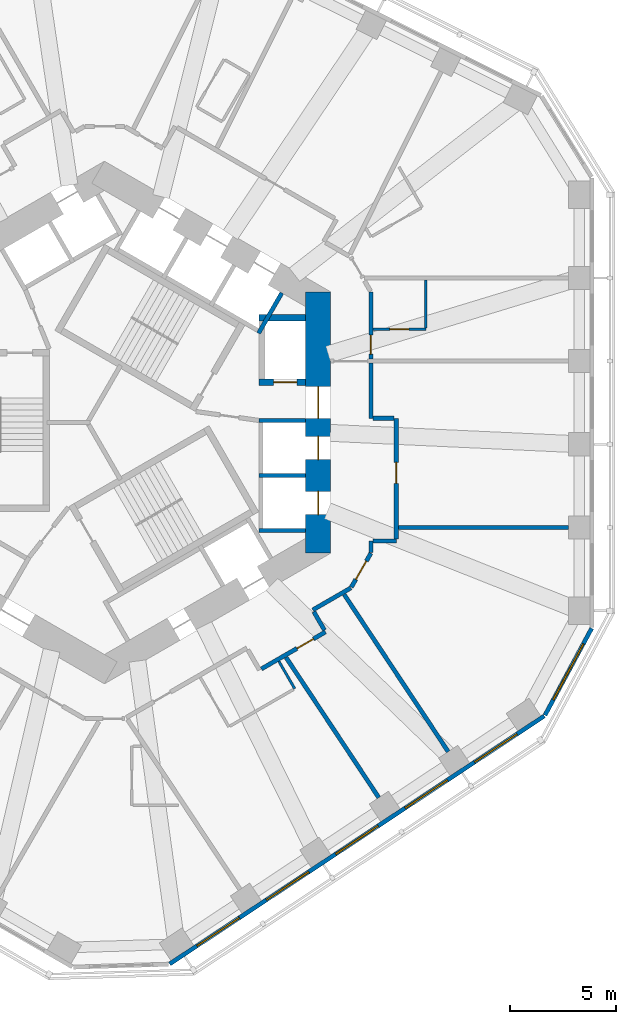
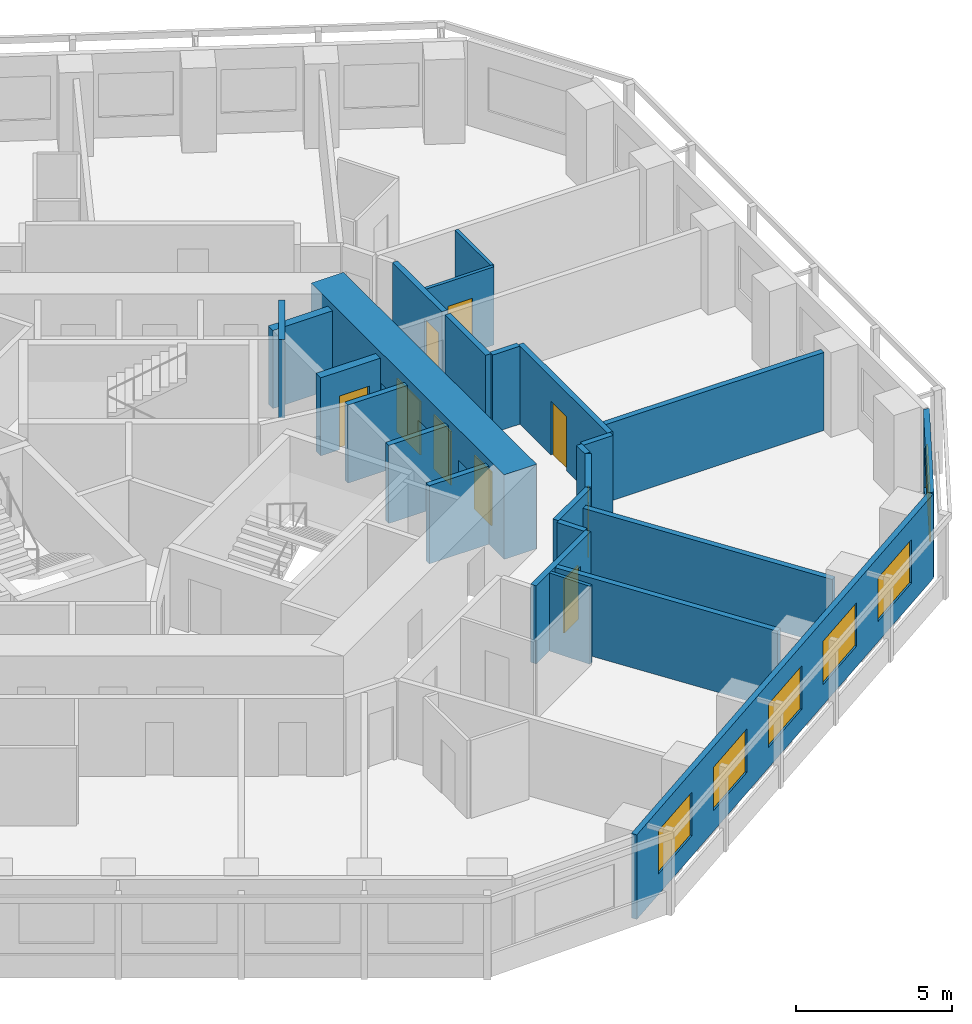
# One storey, part 6 of 12: 25 walls, 9 doors, 6 windows, 15 openings.
"""IFC4 building model written with IfcOpenShell, lengths in metres."""

from ifc_helpers import new_model, si_unit, direction, frame, frame_2d, origin, place, context, subcontext, project, spatial, rectangle, extrude, material, layer, layer_set, type_object, element, fill, save


model = new_model("IFC4")

# Units and contexts
model_context = context("Model", 3, precision=1e-05, world=origin(), true_north=direction((0.0, 1.0)))
body_context = subcontext(model_context, "Body", "Model", "MODEL_VIEW")
ifc_project = project(units=[si_unit("LENGTHUNIT", "METRE"), si_unit("AREAUNIT", "SQUARE_METRE"), si_unit("VOLUMEUNIT", "CUBIC_METRE"), si_unit("PLANEANGLEUNIT", "RADIAN"), si_unit("MASSUNIT", "GRAM", prefix="KILO")], contexts=[model_context])

# Site, building, storey
site_placement = place(None, origin())
site = spatial("IfcSite", under=ifc_project, at=site_placement, CompositionType="ELEMENT")
building_placement = place(site_placement, origin())
building = spatial("IfcBuilding", under=site, at=building_placement, Name="Vanh Sen Convention Tower", CompositionType="ELEMENT")
storey_placement = place(building_placement, frame((0.0, 0.0, 106.699951171875)))
storey = spatial("IfcBuildingStorey", under=building, at=storey_placement, Name="L25", CompositionType="ELEMENT", Elevation=106.699951171875)

# Wall
ifc_material_1 = material(Name="Moisture-resistant gypsum board on steel studs", Category="steel")
ifc_layer_1 = layer(ifc_material_1, 0.1201171875)
ifc_layer_set_1 = layer_set([ifc_layer_1], Name="Moisture-resistant gypsum board on steel studs")
wall_type_1 = type_object("IfcWallType", Name="Bathroom partition 120", PredefinedType="PARTITIONING", material=ifc_layer_set_1)
wall_1_placement = place(storey_placement, frame((8.248779296875, -11.2890625, 0.0), z_axis=(0.0, 0.0, 1.0), x_axis=(0.499957405522, -0.866049994321, 0.0)))
element("IfcWall", 1, at=wall_1_placement, inside=storey, type_object=wall_type_1, Name="Bathroom partition 120", PredefinedType="PARTITIONING", context=body_context, shape_type="SweptSolid", body=[
    extrude(rectangle(XDim=1.499267578125, YDim=0.1201171875, at=frame_2d((0.74951171875, 0.0))), origin(), (0.0, 0.0, 1.0), 3.050048828125),
])

# Wall, opening, door
wall_2_placement = place(storey_placement, frame((15.199951171875, 4.404541015625, 0.0), z_axis=(0.0, 0.0, 1.0), x_axis=(-1.0, 0.0, 0.0)))
wall_2 = element("IfcWall", 2, at=wall_2_placement, inside=storey, type_object=wall_type_1, Name="Bathroom partition 120", PredefinedType="PARTITIONING", context=body_context, shape_type="SweptSolid", body=[
    extrude(rectangle(XDim=2.5, YDim=0.1201171875, at=frame_2d((1.25, 0.0))), origin(), (0.0, 0.0, 1.0), 3.050048828125),
])
opening_1_placement = place(wall_2_placement, frame((0.800048828125, 0.0, 0.0)))
opening_1 = element("IfcOpeningElement", 3, at=opening_1_placement, cuts=wall_2, Name="Opening D25103", PredefinedType="OPENING", context=body_context, shape_type="SweptSolid", body=[
    extrude(rectangle(XDim=0.89990234375, YDim=2.10009765625, at=frame_2d((0.449951171875, 1.050048828125))), frame((0.0, 0.070068359375, 0.0), z_axis=(0.0, -1.0, 0.0), x_axis=(1.0, 0.0, 0.0)), (0.0, 0.0, 1.0), 0.14013671875),
])
ifc_material_2 = material(Name="Laminate door in steel frame", Category="steel")
door_type_1 = type_object("IfcDoorType", Name="En-suite door 900", OperationType="SINGLE_SWING_LEFT", PredefinedType="DOOR", material=ifc_material_2)
door_1_placement = place(opening_1_placement, origin())
door_1 = element("IfcDoor", 4, at=door_1_placement, inside=storey, type_object=door_type_1, Name="En-suite door D25103", OperationType="SINGLE_SWING_LEFT", OverallHeight=2.10009765625, OverallWidth=0.89990234375, PredefinedType="DOOR", context=body_context, shape_type="SweptSolid", body=[
    extrude(rectangle(XDim=0.89990234375, YDim=2.10009765625, at=frame_2d((0.449951171875, 1.050048828125))), frame((0.0, 0.02490234375, 0.0), z_axis=(0.0, -1.0, 0.0), x_axis=(1.0, 0.0, 0.0)), (0.0, 0.0, 1.0), 0.050048828125),
])
fill(opening_1, door_1)

# Wall
wall_3_placement = place(storey_placement, frame((15.199951171875, 6.739013671875, 0.0), z_axis=(0.0, 0.0, 1.0), x_axis=(0.0, -1.0, 0.0)))
element("IfcWall", 5, at=wall_3_placement, inside=storey, type_object=wall_type_1, Name="Bathroom partition 120", PredefinedType="PARTITIONING", context=body_context, shape_type="SweptSolid", body=[
    extrude(rectangle(XDim=2.2744140625, YDim=0.1201171875, at=frame_2d((1.13720703125, 0.0))), origin(), (0.0, 0.0, 1.0), 3.050048828125),
])

# Wall, openings, doors
ifc_material_3 = material(Name="Concrete C80/95", Category="concrete")
ifc_layer_2 = layer(ifc_material_3, 1.199951171875)
ifc_layer_set_2 = layer_set([ifc_layer_2], Name="Concrete C80/95")
wall_type_2 = type_object("IfcWallType", Name="Core outer wall 1200 C80/95", PredefinedType="SHEAR", material=ifc_layer_set_2)
wall_4_placement = place(storey_placement, frame((10.10009765625, -6.177490234375, 0.0), z_axis=(0.0, 0.0, 1.0), x_axis=(0.0, 1.0, 0.0)))
wall_4 = element("IfcWall", 6, at=wall_4_placement, inside=storey, type_object=wall_type_2, Name="Core wall face E L25", PredefinedType="SHEAR", context=body_context, shape_type="SweptSolid", body=[
    extrude(rectangle(XDim=12.35498046875, YDim=1.199951171875, at=frame_2d((6.177490234375, 0.0))), origin(), (0.0, 0.0, 1.0), 3.300048828125),
])
opening_2_placement = place(wall_4_placement, frame((6.377685546875, 0.0, 0.0)))
opening_2 = element("IfcOpeningElement", 7, at=opening_2_placement, cuts=wall_4, Name="Opening D25001", PredefinedType="OPENING", context=body_context, shape_type="SweptSolid", body=[
    extrude(rectangle(XDim=1.5, YDim=2.10009765625, at=frame_2d((0.75, 1.050048828125))), frame((0.0, 0.60986328125, 0.0), z_axis=(0.0, -1.0, 0.0), x_axis=(1.0, 0.0, 0.0)), (0.0, 0.0, 1.0), 1.219970703125),
])
opening_3_placement = place(wall_4_placement, frame((1.82763671875, 0.0, 0.0)))
opening_3 = element("IfcOpeningElement", 8, at=opening_3_placement, cuts=wall_4, Name="Opening LD-LR1", PredefinedType="OPENING", context=body_context, shape_type="SweptSolid", body=[
    extrude(rectangle(XDim=1.10009765625, YDim=2.10009765625, at=frame_2d((0.550048828125, 1.050048828125))), frame((0.0, 0.60986328125, 0.0), z_axis=(0.0, -1.0, 0.0), x_axis=(1.0, 0.0, 0.0)), (0.0, 0.0, 1.0), 1.219970703125),
])
opening_4_placement = place(wall_4_placement, frame((4.427490234375, 0.0, 0.0)))
opening_4 = element("IfcOpeningElement", 9, at=opening_4_placement, cuts=wall_4, Name="Opening LD-LR2", PredefinedType="OPENING", context=body_context, shape_type="SweptSolid", body=[
    extrude(rectangle(XDim=1.10009765625, YDim=2.10009765625, at=frame_2d((0.550048828125, 1.050048828125))), frame((0.0, 0.60986328125, 0.0), z_axis=(0.0, -1.0, 0.0), x_axis=(1.0, 0.0, 0.0)), (0.0, 0.0, 1.0), 1.219970703125),
])
ifc_material_4 = material(Name="Stainless steel", Category="steel")
door_type_2 = type_object("IfcDoorType", Name="Lift landing door 1100", OperationType="DOUBLE_DOOR_SLIDING", PredefinedType="DOOR", material=ifc_material_4)
door_2_placement = place(opening_3_placement, origin())
door_2 = element("IfcDoor", 10, at=door_2_placement, inside=storey, type_object=door_type_2, Name="Lift LR1 landing door LD-LR1", OperationType="DOUBLE_DOOR_SLIDING", OverallHeight=2.10009765625, OverallWidth=1.10009765625, PredefinedType="DOOR", context=body_context, shape_type="SweptSolid", body=[
    extrude(rectangle(XDim=1.10009765625, YDim=2.10009765625, at=frame_2d((0.550048828125, 1.050048828125))), frame((0.0, 0.02490234375, 0.0), z_axis=(0.0, -1.0, 0.0), x_axis=(1.0, 0.0, 0.0)), (0.0, 0.0, 1.0), 0.050048828125),
])
fill(opening_3, door_2)
door_3_placement = place(opening_4_placement, origin())
door_3 = element("IfcDoor", 11, at=door_3_placement, inside=storey, type_object=door_type_2, Name="Lift LR2 landing door LD-LR2", OperationType="DOUBLE_DOOR_SLIDING", OverallHeight=2.10009765625, OverallWidth=1.10009765625, PredefinedType="DOOR", context=body_context, shape_type="SweptSolid", body=[
    extrude(rectangle(XDim=1.10009765625, YDim=2.10009765625, at=frame_2d((0.550048828125, 1.050048828125))), frame((0.0, 0.02490234375, 0.0), z_axis=(0.0, -1.0, 0.0), x_axis=(1.0, 0.0, 0.0)), (0.0, 0.0, 1.0), 0.050048828125),
])
fill(opening_4, door_3)
ifc_material_5 = material(Name="Steel S355", Category="steel")
door_type_3 = type_object("IfcDoorType", Name="Stair lobby door 1500", OperationType="DOUBLE_DOOR_SINGLE_SWING", PredefinedType="DOOR", material=ifc_material_5)
door_4_placement = place(opening_2_placement, origin())
door_4 = element("IfcDoor", 12, at=door_4_placement, inside=storey, type_object=door_type_3, Name="Stair lobby door D25001", OperationType="DOUBLE_DOOR_SINGLE_SWING", OverallHeight=2.10009765625, OverallWidth=1.5, PredefinedType="DOOR", context=body_context, shape_type="SweptSolid", body=[
    extrude(rectangle(XDim=1.5, YDim=2.10009765625, at=frame_2d((0.75, 1.050048828125))), frame((0.0, 0.02490234375, 0.0), z_axis=(0.0, -1.0, 0.0), x_axis=(1.0, 0.0, 0.0)), (0.0, 0.0, 1.0), 0.050048828125),
])
fill(opening_2, door_4)

# Wall, opening, door
ifc_material_6 = material(Name="Gypsum board on steel studs with mineral wool", Category="steel")
ifc_layer_3 = layer(ifc_material_6, 0.199951171875)
ifc_layer_set_3 = layer_set([ifc_layer_3], Name="Gypsum board on steel studs with mineral wool")
wall_type_3 = type_object("IfcWallType", Name="Corridor partition wall 200", PredefinedType="PARTITIONING", material=ifc_layer_set_3)
wall_5_placement = place(storey_placement, frame((7.419189453125, -11.652587890625, 0.0), z_axis=(0.0, 0.0, 1.0), x_axis=(0.866038154057, 0.49997791523, 0.0)))
wall_5 = element("IfcWall", 13, at=wall_5_placement, inside=storey, type_object=wall_type_3, Name="Corridor partition wall 200", PredefinedType="PARTITIONING", context=body_context, shape_type="SweptSolid", body=[
    extrude(rectangle(XDim=3.502197265625, YDim=0.199951171875, at=frame_2d((1.7509765625, 0.0))), origin(), (0.0, 0.0, 1.0), 3.050048828125),
])
opening_5_placement = place(wall_5_placement, frame((1.939697265625, 0.0, 0.0)))
opening_5 = element("IfcOpeningElement", 14, at=opening_5_placement, cuts=wall_5, Name="Opening D25128", PredefinedType="OPENING", context=body_context, shape_type="SweptSolid", body=[
    extrude(rectangle(XDim=0.89990234375, YDim=2.10009765625, at=frame_2d((0.449951171875, 1.050048828125))), frame((0.0, 0.10986328125, 0.0), z_axis=(0.0, -1.0, 0.0), x_axis=(1.0, 0.0, 0.0)), (0.0, 0.0, 1.0), 0.219970703125),
])
ifc_material_7 = material(Name="Timber fire door in steel frame", Category="steel")
door_type_4 = type_object("IfcDoorType", Name="Floor service door 900", OperationType="SINGLE_SWING_LEFT", PredefinedType="DOOR", material=ifc_material_7)
door_5_placement = place(opening_5_placement, origin())
door_5 = element("IfcDoor", 15, at=door_5_placement, inside=storey, type_object=door_type_4, Name="Service room door D25128", OperationType="SINGLE_SWING_LEFT", OverallHeight=2.10009765625, OverallWidth=0.89990234375, PredefinedType="DOOR", context=body_context, shape_type="SweptSolid", body=[
    extrude(rectangle(XDim=0.89990234375, YDim=2.10009765625, at=frame_2d((0.449951171875, 1.050048828125))), frame((0.0, 0.02490234375, 0.0), z_axis=(0.0, -1.0, 0.0), x_axis=(1.0, 0.0, 0.0)), (0.0, 0.0, 1.0), 0.050048828125),
])
fill(opening_5, door_5)

# Walls
wall_6_placement = place(storey_placement, frame((9.8515625, -8.861328125, 0.0), z_axis=(0.0, 0.0, 1.0), x_axis=(0.866013291437, 0.500020978615, 0.0)))
element("IfcWall", 16, at=wall_6_placement, inside=storey, type_object=wall_type_3, Name="Corridor partition wall 200", PredefinedType="PARTITIONING", context=body_context, shape_type="SweptSolid", body=[
    extrude(rectangle(XDim=2.07666015625, YDim=0.199951171875, at=frame_2d((1.038330078125, 0.0))), origin(), (0.0, 0.0, 1.0), 3.050048828125),
])
wall_7_placement = place(storey_placement, frame((10.402099609375, -9.81494140625, 0.0), z_axis=(0.0, 0.0, 1.0), x_axis=(-0.499968756647, 0.866043441391, 0.0)))
element("IfcWall", 17, at=wall_7_placement, inside=storey, type_object=wall_type_3, Name="Corridor partition wall 200", PredefinedType="PARTITIONING", context=body_context, shape_type="SweptSolid", body=[
    extrude(rectangle(XDim=1.0009765625, YDim=0.199951171875, at=frame_2d((0.50048828125, 0.0))), origin(), (0.0, 0.0, 1.0), 3.050048828125),
])

# Wall, opening, door
wall_8_placement = place(storey_placement, frame((11.669921875, -7.788330078125, 0.0), z_axis=(0.0, 0.0, 1.0), x_axis=(0.500063286585, 0.865988862174, 0.0)))
wall_8 = element("IfcWall", 18, at=wall_8_placement, inside=storey, type_object=wall_type_3, Name="Corridor partition wall 200", PredefinedType="PARTITIONING", context=body_context, shape_type="SweptSolid", body=[
    extrude(rectangle(XDim=1.860107421875, YDim=0.199951171875, at=frame_2d((0.93017578125, 0.0))), origin(), (0.0, 0.0, 1.0), 3.050048828125),
])
opening_6_placement = place(wall_8_placement, frame((0.429931640625, 0.0, 0.0)))
opening_6 = element("IfcOpeningElement", 19, at=opening_6_placement, cuts=wall_8, Name="Opening D25129", PredefinedType="OPENING", context=body_context, shape_type="SweptSolid", body=[
    extrude(rectangle(XDim=1.0, YDim=2.10009765625, at=frame_2d((0.5, 1.050048828125))), frame((0.0, 0.10986328125, 0.0), z_axis=(0.0, -1.0, 0.0), x_axis=(1.0, 0.0, 0.0)), (0.0, 0.0, 1.0), 0.219970703125),
])
door_type_5 = type_object("IfcDoorType", Name="Floor room door 1000", OperationType="SINGLE_SWING_LEFT", PredefinedType="DOOR", material=ifc_material_7)
door_6_placement = place(opening_6_placement, origin())
door_6 = element("IfcDoor", 20, at=door_6_placement, inside=storey, type_object=door_type_5, Name="Meeting and amenity room door D25129", OperationType="SINGLE_SWING_LEFT", OverallHeight=2.10009765625, OverallWidth=1.0, PredefinedType="DOOR", context=body_context, shape_type="SweptSolid", body=[
    extrude(rectangle(XDim=1.0, YDim=2.10009765625, at=frame_2d((0.5, 1.050048828125))), frame((0.0, 0.02490234375, 0.0), z_axis=(0.0, -1.0, 0.0), x_axis=(1.0, 0.0, 0.0)), (0.0, 0.0, 1.0), 0.050048828125),
])
fill(opening_6, door_6)

# Walls
wall_9_placement = place(storey_placement, frame((12.60009765625, -6.1376953125, 0.0), z_axis=(0.0, 0.0, 1.0), x_axis=(0.0, 1.0, 0.0)))
element("IfcWall", 21, at=wall_9_placement, inside=storey, type_object=wall_type_3, Name="Corridor partition wall 200", PredefinedType="PARTITIONING", context=body_context, shape_type="SweptSolid", body=[
    extrude(rectangle(XDim=0.53662109375, YDim=0.199951171875, at=frame_2d((0.268310546875, 0.0))), origin(), (0.0, 0.0, 1.0), 3.050048828125),
])
wall_10_placement = place(storey_placement, frame((12.60009765625, 0.200927734375, 0.0), z_axis=(0.0, 0.0, 1.0), x_axis=(0.0, 1.0, 0.0)))
element("IfcWall", 22, at=wall_10_placement, inside=storey, type_object=wall_type_3, Name="Corridor partition wall 200", PredefinedType="PARTITIONING", context=body_context, shape_type="SweptSolid", body=[
    extrude(rectangle(XDim=2.603515625, YDim=0.199951171875, at=frame_2d((1.3017578125, 0.0))), origin(), (0.0, 0.0, 1.0), 3.050048828125),
])

# Wall, opening, door
wall_11_placement = place(storey_placement, frame((12.60009765625, 3.00439453125, 0.0), z_axis=(0.0, 0.0, 1.0), x_axis=(0.0, 1.0, 0.0)))
wall_11 = element("IfcWall", 23, at=wall_11_placement, inside=storey, type_object=wall_type_3, Name="Corridor partition wall 200", PredefinedType="PARTITIONING", context=body_context, shape_type="SweptSolid", body=[
    extrude(rectangle(XDim=3.173095703125, YDim=0.199951171875, at=frame_2d((1.58642578125, 0.0))), origin(), (0.0, 0.0, 1.0), 3.050048828125),
])
opening_7_placement = place(wall_11_placement, frame((0.22509765625, 0.0, 0.0)))
opening_7 = element("IfcOpeningElement", 24, at=opening_7_placement, cuts=wall_11, Name="Opening D25102", PredefinedType="OPENING", context=body_context, shape_type="SweptSolid", body=[
    extrude(rectangle(XDim=0.89990234375, YDim=2.10009765625, at=frame_2d((0.449951171875, 1.050048828125))), frame((0.0, 0.10986328125, 0.0), z_axis=(0.0, -1.0, 0.0), x_axis=(1.0, 0.0, 0.0)), (0.0, 0.0, 1.0), 0.219970703125),
])
door_type_6 = type_object("IfcDoorType", Name="Guest room door 900", OperationType="SINGLE_SWING_LEFT", PredefinedType="DOOR", material=ifc_material_7)
door_7_placement = place(opening_7_placement, origin())
door_7 = element("IfcDoor", 25, at=door_7_placement, inside=storey, type_object=door_type_6, Name="Hotel guest room door D25102", OperationType="SINGLE_SWING_LEFT", OverallHeight=2.10009765625, OverallWidth=0.89990234375, PredefinedType="DOOR", context=body_context, shape_type="SweptSolid", body=[
    extrude(rectangle(XDim=0.89990234375, YDim=2.10009765625, at=frame_2d((0.449951171875, 1.050048828125))), frame((0.0, 0.02490234375, 0.0), z_axis=(0.0, -1.0, 0.0), x_axis=(1.0, 0.0, 0.0)), (0.0, 0.0, 1.0), 0.050048828125),
])
fill(opening_7, door_7)

# Walls
wall_12_placement = place(storey_placement, frame((12.699951171875, -5.60107421875, 0.0), z_axis=(0.0, 0.0, 1.0), x_axis=(1.0, 0.0, 0.0)))
element("IfcWall", 26, at=wall_12_placement, inside=storey, type_object=wall_type_3, Name="Corridor partition wall 200", PredefinedType="PARTITIONING", context=body_context, shape_type="SweptSolid", body=[
    extrude(rectangle(XDim=1.10107421875, YDim=0.199951171875, at=frame_2d((0.550537109375, 0.0))), origin(), (0.0, 0.0, 1.0), 3.050048828125),
])
wall_13_placement = place(storey_placement, frame((13.700927734375, 0.200927734375, 0.0), z_axis=(0.0, 0.0, 1.0), x_axis=(-1.0, 0.0, 0.0)))
element("IfcWall", 27, at=wall_13_placement, inside=storey, type_object=wall_type_3, Name="Corridor partition wall 200", PredefinedType="PARTITIONING", context=body_context, shape_type="SweptSolid", body=[
    extrude(rectangle(XDim=1.0009765625, YDim=0.199951171875, at=frame_2d((0.50048828125, 0.0))), origin(), (0.0, 0.0, 1.0), 3.050048828125),
])

# Wall, opening, door
wall_14_placement = place(storey_placement, frame((13.801025390625, -5.5009765625, 0.0), z_axis=(0.0, 0.0, 1.0), x_axis=(0.0, 1.0, 0.0)))
wall_14 = element("IfcWall", 28, at=wall_14_placement, inside=storey, type_object=wall_type_3, Name="Corridor partition wall 200", PredefinedType="PARTITIONING", context=body_context, shape_type="SweptSolid", body=[
    extrude(rectangle(XDim=5.701904296875, YDim=0.199951171875, at=frame_2d((2.85107421875, 0.0))), origin(), (0.0, 0.0, 1.0), 3.050048828125),
])
opening_8_placement = place(wall_14_placement, frame((2.619140625, 0.0, 0.0)))
opening_8 = element("IfcOpeningElement", 29, at=opening_8_placement, cuts=wall_14, Name="Opening D25101", PredefinedType="OPENING", context=body_context, shape_type="SweptSolid", body=[
    extrude(rectangle(XDim=1.0, YDim=2.10009765625, at=frame_2d((0.5, 1.050048828125))), frame((0.0, 0.10986328125, 0.0), z_axis=(0.0, -1.0, 0.0), x_axis=(1.0, 0.0, 0.0)), (0.0, 0.0, 1.0), 0.219970703125),
])
door_8_placement = place(opening_8_placement, origin())
door_8 = element("IfcDoor", 30, at=door_8_placement, inside=storey, type_object=door_type_5, Name="Meeting and amenity room door D25101", OperationType="SINGLE_SWING_LEFT", OverallHeight=2.10009765625, OverallWidth=1.0, PredefinedType="DOOR", context=body_context, shape_type="SweptSolid", body=[
    extrude(rectangle(XDim=1.0, YDim=2.10009765625, at=frame_2d((0.5, 1.050048828125))), frame((0.0, 0.02490234375, 0.0), z_axis=(0.0, -1.0, 0.0), x_axis=(1.0, 0.0, 0.0)), (0.0, 0.0, 1.0), 0.050048828125),
])
fill(opening_8, door_8)

# Wall, openings, windows
ifc_material_8 = material(Name="Insulated lightweight infill wall")
ifc_layer_4 = layer(ifc_material_8, 0.199951171875)
ifc_layer_set_4 = layer_set([ifc_layer_4], Name="Insulated lightweight infill wall")
wall_type_4 = type_object("IfcWallType", Name="External wall 200", PredefinedType="STANDARD", material=ifc_layer_set_4)
wall_15_placement = place(storey_placement, frame((3.0830078125, -25.60107421875, 0.0), z_axis=(0.0, 0.0, 1.0), x_axis=(0.833884295743, 0.551939291329, 0.0)))
wall_15 = element("IfcWall", 31, at=wall_15_placement, inside=storey, type_object=wall_type_4, Name="External wall SE L25", PredefinedType="STANDARD", context=body_context, shape_type="SweptSolid", body=[
    extrude(rectangle(XDim=21.24609375, YDim=0.199951171875, at=frame_2d((10.623046875, 0.0))), origin(), (0.0, 0.0, 1.0), 3.300048828125),
])
opening_9_placement = place(wall_15_placement, frame((1.552978515625, 0.0, 0.800048828125)))
opening_9 = element("IfcOpeningElement", 32, at=opening_9_placement, cuts=wall_15, Name="Opening WH1-SE1", PredefinedType="OPENING", context=body_context, shape_type="SweptSolid", body=[
    extrude(rectangle(XDim=2.39990234375, YDim=1.699951171875, at=frame_2d((1.199951171875, 0.85009765625))), frame((0.0, 0.10986328125, 0.0), z_axis=(0.0, -1.0, 0.0), x_axis=(1.0, 0.0, 0.0)), (0.0, 0.0, 1.0), 0.219970703125),
])
opening_10_placement = place(wall_15_placement, frame((5.487548828125, 0.0, 0.800048828125)))
opening_10 = element("IfcOpeningElement", 33, at=opening_10_placement, cuts=wall_15, Name="Opening WH1-SE2", PredefinedType="OPENING", context=body_context, shape_type="SweptSolid", body=[
    extrude(rectangle(XDim=2.39990234375, YDim=1.699951171875, at=frame_2d((1.199951171875, 0.85009765625))), frame((0.0, 0.10986328125, 0.0), z_axis=(0.0, -1.0, 0.0), x_axis=(1.0, 0.0, 0.0)), (0.0, 0.0, 1.0), 0.219970703125),
])
opening_11_placement = place(wall_15_placement, frame((9.422119140625, 0.0, 0.800048828125)))
opening_11 = element("IfcOpeningElement", 34, at=opening_11_placement, cuts=wall_15, Name="Opening WH1-SE3", PredefinedType="OPENING", context=body_context, shape_type="SweptSolid", body=[
    extrude(rectangle(XDim=2.39990234375, YDim=1.699951171875, at=frame_2d((1.199951171875, 0.85009765625))), frame((0.0, 0.10986328125, 0.0), z_axis=(0.0, -1.0, 0.0), x_axis=(1.0, 0.0, 0.0)), (0.0, 0.0, 1.0), 0.219970703125),
])
opening_12_placement = place(wall_15_placement, frame((13.356689453125, 0.0, 0.800048828125)))
opening_12 = element("IfcOpeningElement", 35, at=opening_12_placement, cuts=wall_15, Name="Opening WH1-SE4", PredefinedType="OPENING", context=body_context, shape_type="SweptSolid", body=[
    extrude(rectangle(XDim=2.39990234375, YDim=1.699951171875, at=frame_2d((1.199951171875, 0.85009765625))), frame((0.0, 0.10986328125, 0.0), z_axis=(0.0, -1.0, 0.0), x_axis=(1.0, 0.0, 0.0)), (0.0, 0.0, 1.0), 0.219970703125),
])
opening_13_placement = place(wall_15_placement, frame((17.291259765625, 0.0, 0.800048828125)))
opening_13 = element("IfcOpeningElement", 36, at=opening_13_placement, cuts=wall_15, Name="Opening WH1-SE5", PredefinedType="OPENING", context=body_context, shape_type="SweptSolid", body=[
    extrude(rectangle(XDim=2.39990234375, YDim=1.699951171875, at=frame_2d((1.199951171875, 0.85009765625))), frame((0.0, 0.10986328125, 0.0), z_axis=(0.0, -1.0, 0.0), x_axis=(1.0, 0.0, 0.0)), (0.0, 0.0, 1.0), 0.219970703125),
])
ifc_material_9 = material(Name="Aluminium frame with clear low-emissivity glass", Category="aluminium")
window_type_1 = type_object("IfcWindowType", Name="Hotel window 2400 x 1700", PartitioningType="SINGLE_PANEL", PredefinedType="WINDOW", material=ifc_material_9)
window_1_placement = place(opening_9_placement, origin())
window_1 = element("IfcWindow", 37, at=window_1_placement, inside=storey, type_object=window_type_1, Name="Window WH1-SE1", OverallHeight=1.699951171875, OverallWidth=2.39990234375, PartitioningType="SINGLE_PANEL", PredefinedType="WINDOW", context=body_context, shape_type="SweptSolid", body=[
    extrude(rectangle(XDim=2.39990234375, YDim=1.699951171875, at=frame_2d((1.199951171875, 0.85009765625))), frame((0.0, 0.030029296875, 0.0), z_axis=(0.0, -1.0, 0.0), x_axis=(1.0, 0.0, 0.0)), (0.0, 0.0, 1.0), 0.06005859375),
])
fill(opening_9, window_1)
window_2_placement = place(opening_10_placement, origin())
window_2 = element("IfcWindow", 38, at=window_2_placement, inside=storey, type_object=window_type_1, Name="Window WH1-SE2", OverallHeight=1.699951171875, OverallWidth=2.39990234375, PartitioningType="SINGLE_PANEL", PredefinedType="WINDOW", context=body_context, shape_type="SweptSolid", body=[
    extrude(rectangle(XDim=2.39990234375, YDim=1.699951171875, at=frame_2d((1.199951171875, 0.85009765625))), frame((0.0, 0.030029296875, 0.0), z_axis=(0.0, -1.0, 0.0), x_axis=(1.0, 0.0, 0.0)), (0.0, 0.0, 1.0), 0.06005859375),
])
fill(opening_10, window_2)
window_3_placement = place(opening_11_placement, origin())
window_3 = element("IfcWindow", 39, at=window_3_placement, inside=storey, type_object=window_type_1, Name="Window WH1-SE3", OverallHeight=1.699951171875, OverallWidth=2.39990234375, PartitioningType="SINGLE_PANEL", PredefinedType="WINDOW", context=body_context, shape_type="SweptSolid", body=[
    extrude(rectangle(XDim=2.39990234375, YDim=1.699951171875, at=frame_2d((1.199951171875, 0.85009765625))), frame((0.0, 0.030029296875, 0.0), z_axis=(0.0, -1.0, 0.0), x_axis=(1.0, 0.0, 0.0)), (0.0, 0.0, 1.0), 0.06005859375),
])
fill(opening_11, window_3)
window_4_placement = place(opening_12_placement, origin())
window_4 = element("IfcWindow", 40, at=window_4_placement, inside=storey, type_object=window_type_1, Name="Window WH1-SE4", OverallHeight=1.699951171875, OverallWidth=2.39990234375, PartitioningType="SINGLE_PANEL", PredefinedType="WINDOW", context=body_context, shape_type="SweptSolid", body=[
    extrude(rectangle(XDim=2.39990234375, YDim=1.699951171875, at=frame_2d((1.199951171875, 0.85009765625))), frame((0.0, 0.030029296875, 0.0), z_axis=(0.0, -1.0, 0.0), x_axis=(1.0, 0.0, 0.0)), (0.0, 0.0, 1.0), 0.06005859375),
])
fill(opening_12, window_4)
window_5_placement = place(opening_13_placement, origin())
window_5 = element("IfcWindow", 41, at=window_5_placement, inside=storey, type_object=window_type_1, Name="Window WH1-SE5", OverallHeight=1.699951171875, OverallWidth=2.39990234375, PartitioningType="SINGLE_PANEL", PredefinedType="WINDOW", context=body_context, shape_type="SweptSolid", body=[
    extrude(rectangle(XDim=2.39990234375, YDim=1.699951171875, at=frame_2d((1.199951171875, 0.85009765625))), frame((0.0, 0.030029296875, 0.0), z_axis=(0.0, -1.0, 0.0), x_axis=(1.0, 0.0, 0.0)), (0.0, 0.0, 1.0), 0.06005859375),
])
fill(opening_13, window_5)

# Wall, opening, window
wall_16_placement = place(storey_placement, frame((20.83251953125, -13.838623046875, 0.0), z_axis=(0.0, 0.0, 1.0), x_axis=(0.473321668581, 0.880889662813, 0.0)))
wall_16 = element("IfcWall", 42, at=wall_16_placement, inside=storey, type_object=wall_type_4, Name="External wall CH6 L25", PredefinedType="STANDARD", context=body_context, shape_type="SweptSolid", body=[
    extrude(rectangle(XDim=4.65966796875, YDim=0.199951171875, at=frame_2d((2.329833984375, 0.0))), origin(), (0.0, 0.0, 1.0), 3.300048828125),
])
opening_14_placement = place(wall_16_placement, frame((0.829833984375, 0.0, 0.800048828125)))
opening_14 = element("IfcOpeningElement", 43, at=opening_14_placement, cuts=wall_16, Name="Opening WH2-CH61", PredefinedType="OPENING", context=body_context, shape_type="SweptSolid", body=[
    extrude(rectangle(XDim=3.0, YDim=1.699951171875, at=frame_2d((1.5, 0.85009765625))), frame((0.0, 0.10986328125, 0.0), z_axis=(0.0, -1.0, 0.0), x_axis=(1.0, 0.0, 0.0)), (0.0, 0.0, 1.0), 0.219970703125),
])
window_type_2 = type_object("IfcWindowType", Name="Hotel window 3000 x 1700", PartitioningType="SINGLE_PANEL", PredefinedType="WINDOW", material=ifc_material_9)
window_6_placement = place(opening_14_placement, origin())
window_6 = element("IfcWindow", 44, at=window_6_placement, inside=storey, type_object=window_type_2, Name="Window WH2-CH61", OverallHeight=1.699951171875, OverallWidth=3.0, PartitioningType="SINGLE_PANEL", PredefinedType="WINDOW", context=body_context, shape_type="SweptSolid", body=[
    extrude(rectangle(XDim=3.0, YDim=1.699951171875, at=frame_2d((1.5, 0.85009765625))), frame((0.0, 0.030029296875, 0.0), z_axis=(0.0, -1.0, 0.0), x_axis=(1.0, 0.0, 0.0)), (0.0, 0.0, 1.0), 0.06005859375),
])
fill(opening_14, window_6)

# Wall, opening, door
ifc_material_10 = material(Name="Concrete C60/75", Category="concrete")
ifc_layer_5 = layer(ifc_material_10, 0.300048828125)
ifc_layer_set_5 = layer_set([ifc_layer_5], Name="Concrete C60/75")
wall_type_5 = type_object("IfcWallType", Name="Fire-fighting lift shaft wall 300", PredefinedType="SHEAR", material=ifc_layer_set_5)
wall_17_placement = place(storey_placement, frame((7.300048828125, 1.89990234375, 0.0), z_axis=(0.0, 0.0, 1.0), x_axis=(1.0, 0.0, 0.0)))
wall_17 = element("IfcWall", 45, at=wall_17_placement, inside=storey, type_object=wall_type_5, Name="Fire-fighting lift shaft wall L25", PredefinedType="SHEAR", context=body_context, shape_type="SweptSolid", body=[
    extrude(rectangle(XDim=2.199951171875, YDim=0.300048828125, at=frame_2d((1.10009765625, 0.0))), origin(), (0.0, 0.0, 1.0), 3.050048828125),
])
opening_15_placement = place(wall_17_placement, frame((0.699951171875, 0.0, 0.0)))
opening_15 = element("IfcOpeningElement", 46, at=opening_15_placement, cuts=wall_17, Name="Opening LD-FF1", PredefinedType="OPENING", context=body_context, shape_type="SweptSolid", body=[
    extrude(rectangle(XDim=1.10009765625, YDim=2.10009765625, at=frame_2d((0.550048828125, 1.050048828125))), frame((0.0, 0.159912109375, 0.0), z_axis=(0.0, -1.0, 0.0), x_axis=(1.0, 0.0, 0.0)), (0.0, 0.0, 1.0), 0.320068359375),
])
door_type_7 = type_object("IfcDoorType", Name="Fire-fighting lift landing door 1100", OperationType="DOUBLE_DOOR_SLIDING", PredefinedType="DOOR", material=ifc_material_4)
door_9_placement = place(opening_15_placement, origin())
door_9 = element("IfcDoor", 47, at=door_9_placement, inside=storey, type_object=door_type_7, Name="Lift FF1 landing door LD-FF1", OperationType="DOUBLE_DOOR_SLIDING", OverallHeight=2.10009765625, OverallWidth=1.10009765625, PredefinedType="DOOR", context=body_context, shape_type="SweptSolid", body=[
    extrude(rectangle(XDim=1.10009765625, YDim=2.10009765625, at=frame_2d((0.550048828125, 1.050048828125))), frame((0.0, 0.02490234375, 0.0), z_axis=(0.0, -1.0, 0.0), x_axis=(1.0, 0.0, 0.0)), (0.0, 0.0, 1.0), 0.050048828125),
])
fill(opening_15, door_9)

# Walls
wall_18_placement = place(storey_placement, frame((7.300048828125, 4.949951171875, 0.0), z_axis=(0.0, 0.0, 1.0), x_axis=(1.0, 0.0, 0.0)))
element("IfcWall", 48, at=wall_18_placement, inside=storey, type_object=wall_type_5, Name="Fire-fighting lift shaft wall L25", PredefinedType="SHEAR", context=body_context, shape_type="SweptSolid", body=[
    extrude(rectangle(XDim=2.199951171875, YDim=0.300048828125, at=frame_2d((1.10009765625, 0.0))), origin(), (0.0, 0.0, 1.0), 3.050048828125),
])
ifc_layer_6 = layer(ifc_material_6, 0.199951171875)
ifc_layer_set_6 = layer_set([ifc_layer_6], Name="Gypsum board on steel studs with mineral wool")
wall_type_6 = type_object("IfcWallType", Name="Hotel party wall 200", PredefinedType="PARTITIONING", material=ifc_layer_set_6)
wall_19_placement = place(storey_placement, frame((12.973876953125, -17.7353515625, 0.0), z_axis=(0.0, 0.0, 1.0), x_axis=(-0.55192625685, 0.833892922982, 0.0)))
element("IfcWall", 49, at=wall_19_placement, inside=storey, type_object=wall_type_6, Name="Hotel party wall 200", PredefinedType="PARTITIONING", context=body_context, shape_type="SweptSolid", body=[
    extrude(rectangle(XDim=7.9501953125, YDim=0.199951171875, at=frame_2d((3.97509765625, 0.0))), origin(), (0.0, 0.0, 1.0), 3.050048828125),
])
wall_20_placement = place(storey_placement, frame((13.90087890625, -4.964599609375, 0.0), z_axis=(0.0, 0.0, 1.0), x_axis=(1.0, 0.0, 0.0)))
element("IfcWall", 50, at=wall_20_placement, inside=storey, type_object=wall_type_6, Name="Hotel party wall 200", PredefinedType="PARTITIONING", context=body_context, shape_type="SweptSolid", body=[
    extrude(rectangle(XDim=8.049072265625, YDim=0.199951171875, at=frame_2d((4.0244140625, 0.0))), origin(), (0.0, 0.0, 1.0), 3.050048828125),
])
wall_21_placement = place(storey_placement, frame((16.2548828125, -15.563720703125, 0.0), z_axis=(0.0, 0.0, 1.0), x_axis=(-0.55192208744, 0.833895682562, 0.0)))
element("IfcWall", 51, at=wall_21_placement, inside=storey, type_object=wall_type_6, Name="Hotel party wall 200", PredefinedType="PARTITIONING", context=body_context, shape_type="SweptSolid", body=[
    extrude(rectangle(XDim=8.912841796875, YDim=0.199951171875, at=frame_2d((4.45654296875, 0.0))), origin(), (0.0, 0.0, 1.0), 2.60009765625),
])
ifc_material_11 = material(Name="Concrete C40/50", Category="concrete")
ifc_layer_7 = layer(ifc_material_11, 0.199951171875)
ifc_layer_set_7 = layer_set([ifc_layer_7], Name="Concrete C40/50")
wall_type_7 = type_object("IfcWallType", Name="Lift shaft wall 200", PredefinedType="PARTITIONING", material=ifc_layer_set_7)
for number, where, z_axis, x_axis, name in (
    (52, (7.300048828125, -5.10009765625, 0.0), (0.0, 0.0, 1.0), (1.0, 0.0, 0.0), "Lift shaft wall L25"),
    (53, (7.300048828125, -2.5, 0.0), (0.0, 0.0, 1.0), (1.0, 0.0, 0.0), "Lift shaft wall L25"),
    (54, (7.300048828125, 0.10009765625, 0.0), (0.0, 0.0, 1.0), (1.0, 0.0, 0.0), "Lift shaft wall L25"),
    (55, (7.287353515625, 4.221923828125, 0.0), (0.0, 0.0, 1.0), (0.499946605688, 0.86605622881, 0.0), "Lift shaft wall L25"),
):
    element("IfcWall", number, at=place(storey_placement, frame(where, z_axis=z_axis, x_axis=x_axis)), inside=storey, type_object=wall_type_7, Name=name, PredefinedType="PARTITIONING", context=body_context, shape_type="SweptSolid", body=[
        extrude(rectangle(XDim=2.199951171875, YDim=0.199951171875, at=frame_2d((1.10009765625, 0.0))), origin(), (0.0, 0.0, 1.0), 3.050048828125),
    ])

save(model, "model.ifc")
